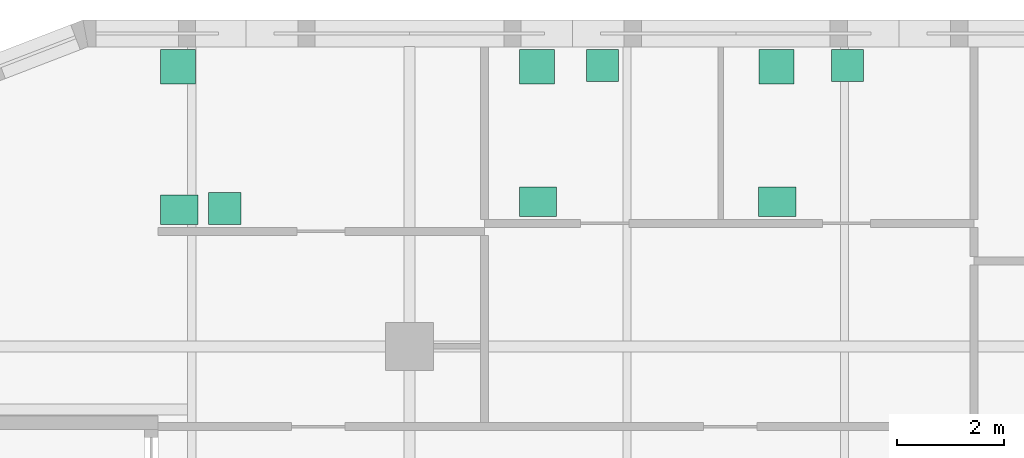
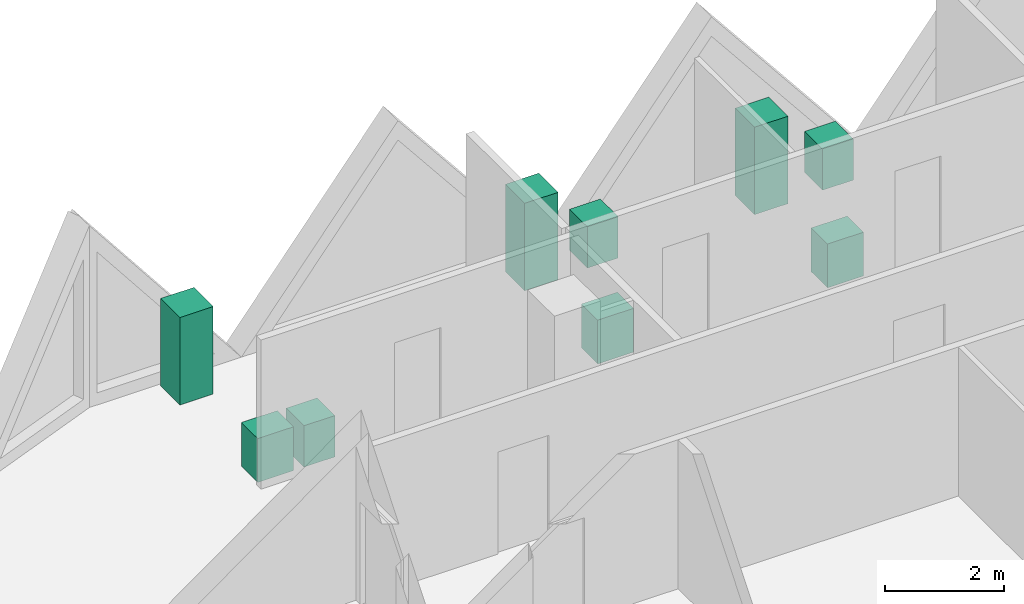
# One storey, part 16 of 17: 6 electric appliances, 3 sanitary terminals.
"""IFC4 building model written with IfcOpenShell, lengths in metres."""

import ifcopenshell
import ifcopenshell.guid

model = None  # the IFC model being written
_history = None  # IfcOwnerHistory: only IFC2X3 demands one
_inside = {}  # id of a spatial element -> (the spatial element, [elements in it])
_under = {}  # id of a project, library or spatial element -> (it, [spatial elements below it])
_declared = {}  # id of a project -> (the project, [libraries it declares])
_typed = {}  # id of a type object -> (the type object, [elements of that type])
_made_of = {}  # id of a material, layer set ... -> (it, [elements and type objects made of it])


def new_model(schema):
    """Start an empty IFC model of exactly this schema.

    Asked for "IFC4X3", IfcOpenShell would pick the latest addendum, in which some entities
    have other attributes; the version numbers below select the first issue.
    IFC2X3 requires an IfcOwnerHistory on every rooted entity: one is made here for all.
    """
    global model, _history
    if schema == "IFC4X3":
        model = ifcopenshell.file(schema_version=(4, 3, 0, 0))
    else:
        model = ifcopenshell.file(schema=schema)
    _inside.clear()
    _under.clear()
    _declared.clear()
    _typed.clear()
    _made_of.clear()
    _history = None
    if model.schema == "IFC2X3":
        org = make("IfcOrganization", Name="unknown")
        user = make(
            "IfcPersonAndOrganization",
            ThePerson=make("IfcPerson", FamilyName="unknown"),
            TheOrganization=org,
        )
        app = make(
            "IfcApplication",
            ApplicationDeveloper=org,
            Version="unknown",
            ApplicationFullName="unknown",
            ApplicationIdentifier="unknown",
        )
        _history = make(
            "IfcOwnerHistory",
            OwningUser=user,
            OwningApplication=app,
            ChangeAction="ADDED",
            CreationDate=0,
        )
    return model


def make(cls, **values):
    """One entity of the class cls with the attributes given. An attribute that is None is left unset."""
    return model.create_entity(
        cls, **{name: value for name, value in values.items() if value is not None}
    )


def rooted(cls, **values):
    """An entity with a GlobalId (a new one), such as an element, a storey or a relation."""
    return make(cls, GlobalId=ifcopenshell.guid.new(), OwnerHistory=_history, **values)


def si_unit(unit_type, name, prefix=None):
    """IfcSIUnit, for example si_unit("LENGTHUNIT", "METRE", prefix="MILLI")."""
    return make("IfcSIUnit", UnitType=unit_type, Prefix=prefix, Name=name)


def assignment(units):
    """IfcUnitAssignment: the units of a project."""
    return None if units is None else make("IfcUnitAssignment", Units=units)


def point(xyz):
    """IfcCartesianPoint."""
    return None if xyz is None else make("IfcCartesianPoint", Coordinates=xyz)


def direction(xyz):
    """IfcDirection."""
    return None if xyz is None else make("IfcDirection", DirectionRatios=xyz)


def frame(location, z_axis=None, x_axis=None):
    """IfcAxis2Placement3D, a coordinate frame: its origin and axes. An axis left out is left unset."""
    return make(
        "IfcAxis2Placement3D",
        Location=point(location),
        Axis=direction(z_axis),
        RefDirection=direction(x_axis),
    )


def frame_2d(location, x_axis=None):
    """IfcAxis2Placement2D, a coordinate frame in the plane: its origin and x axis."""
    return make(
        "IfcAxis2Placement2D", Location=point(location), RefDirection=direction(x_axis)
    )


def origin():
    """The frame at (0, 0, 0) with its axes left unset."""
    return frame((0.0, 0.0, 0.0))


def origin_2d():
    """The frame at (0, 0) in the plane with its x axis left unset."""
    return frame_2d((0.0, 0.0))


def place(relative_to, where):
    """IfcLocalPlacement: puts the frame where relative to a parent placement (None: the world)."""
    return make(
        "IfcLocalPlacement", PlacementRelTo=relative_to, RelativePlacement=where
    )


def context(
    kind, dimensions, precision=None, world=None, true_north=None, identifier=None
):
    """IfcGeometricRepresentationContext, for example the 3D "Model" context."""
    return make(
        "IfcGeometricRepresentationContext",
        ContextIdentifier=identifier,
        ContextType=kind,
        CoordinateSpaceDimension=dimensions,
        Precision=precision,
        WorldCoordinateSystem=world,
        TrueNorth=true_north,
    )


def subcontext(parent, identifier, kind, view, scale=None):
    """IfcGeometricRepresentationSubContext, for example "Body" below "Model"."""
    return make(
        "IfcGeometricRepresentationSubContext",
        ContextIdentifier=identifier,
        ContextType=kind,
        ParentContext=parent,
        TargetScale=scale,
        TargetView=view,
    )


def project(units=None, contexts=None):
    """IfcProject with its units and contexts."""
    return rooted(
        "IfcProject",
        Name="project",
        RepresentationContexts=contexts,
        UnitsInContext=assignment(units),
    )


def spatial(cls, under=None, at=None, **own):
    """A site, building, storey or space (cls), placed at a placement, below another one or the project."""
    s = rooted(cls, ObjectPlacement=at, **own)
    if under is not None:
        _under.setdefault(under.id(), (under, []))[1].append(s)
    return s


def profile(cls, at=None, kind="AREA", **sizes):
    """A parametric profile (cls). Its sizes go by their IFC names, for example OverallWidth=200.0."""
    return make(cls, ProfileType=kind, Position=at, **sizes)


def rectangle(**sizes):
    """IfcRectangleProfileDef."""
    return profile("IfcRectangleProfileDef", **sizes)


def extrude(swept, where, along, depth):
    """IfcExtrudedAreaSolid: the profile swept, set in the frame where, extruded along a direction by depth."""
    return make(
        "IfcExtrudedAreaSolid",
        SweptArea=swept,
        Position=where,
        ExtrudedDirection=direction(along),
        Depth=depth,
    )


def shape(context_of_items, identifier, shape_type, items):
    """IfcShapeRepresentation: the items that make up one representation, for example the "Body"."""
    return make(
        "IfcShapeRepresentation",
        ContextOfItems=context_of_items,
        RepresentationIdentifier=identifier,
        RepresentationType=shape_type,
        Items=items,
    )


def material(Name=None, Category=None):
    """IfcMaterial."""
    return make("IfcMaterial", Name=Name, Category=Category)


def made_of(thing, what):
    """Note that an element or type object is made of a material, layer set ...; save() writes the relation."""
    if what is not None:
        _made_of.setdefault(what.id(), (what, []))[1].append(thing)
    return thing


def type_object(cls, material=None, **own):
    """A type object (cls), such as IfcWallType, which elements share."""
    return made_of(rooted(cls, **own), material)


def element(
    cls,
    number,
    at=None,
    inside=None,
    cuts=None,
    type_object=None,
    material=None,
    context=None,
    identifier="Body",
    shape_type=None,
    held_by="IfcProductDefinitionShape",
    body=None,
    shapes=None,
    **own,
):
    """One element of the class cls, such as IfcWall. Its Tag is "e" and its number.

    at: its placement. inside: the storey or other place that contains it. cuts: it is an
    opening in that element (IfcRelVoidsElement). A single representation is given by context,
    identifier, shape_type and body (its items); several are given by shapes. held_by: the class
    of the entity that holds the representations. save() writes the other relations.
    """
    e = rooted(cls, Tag="e%d" % number, ObjectPlacement=at, **own)
    if body is not None:
        shapes = [shape(context, identifier, shape_type, body)]
    if shapes is not None:
        e.Representation = make(held_by, Representations=shapes)
    if inside is not None:
        _inside.setdefault(inside.id(), (inside, []))[1].append(e)
    if cuts is not None:
        rooted(
            "IfcRelVoidsElement", RelatingBuildingElement=cuts, RelatedOpeningElement=e
        )
    if type_object is not None:
        _typed.setdefault(type_object.id(), (type_object, []))[1].append(e)
    return made_of(e, material)


def aggregate(whole, parts):
    """IfcRelAggregates: a whole, such as a stair, and the parts it consists of."""
    return rooted("IfcRelAggregates", RelatingObject=whole, RelatedObjects=parts)


def save(model, path):
    """Write the relations noted so far, then the file.

    IfcRelAggregates (storeys below a building ...), IfcRelContainedInSpatialStructure (elements
    in a storey), IfcRelDefinesByType, IfcRelAssociatesMaterial and IfcRelDeclares: one each for
    every whole, place, type object, material and project.
    """
    for whole, parts in _under.values():
        aggregate(whole, parts)
    for where, things in _inside.values():
        rooted(
            "IfcRelContainedInSpatialStructure",
            RelatedElements=things,
            RelatingStructure=where,
        )
    for kind, things in _typed.values():
        rooted("IfcRelDefinesByType", RelatedObjects=things, RelatingType=kind)
    for what, things in _made_of.values():
        rooted("IfcRelAssociatesMaterial", RelatedObjects=things, RelatingMaterial=what)
    for by, libraries in _declared.values():
        rooted("IfcRelDeclares", RelatingContext=by, RelatedDefinitions=libraries)
    model.write(path)


model = new_model("IFC4")

# Units and contexts
model_context = context("Model", 3, precision=1e-05, world=origin(), true_north=direction((0.0, 1.0)))
body_context = subcontext(model_context, "Body", "Model", "MODEL_VIEW")
ifc_project = project(units=[si_unit("LENGTHUNIT", "METRE"), si_unit("AREAUNIT", "SQUARE_METRE"), si_unit("VOLUMEUNIT", "CUBIC_METRE"), si_unit("PLANEANGLEUNIT", "RADIAN"), si_unit("MASSUNIT", "GRAM", prefix="KILO")], contexts=[model_context])

# Site, building, storey
site_placement = place(None, origin())
site = spatial("IfcSite", under=ifc_project, at=site_placement, CompositionType="ELEMENT")
building_placement = place(site_placement, origin())
building = spatial("IfcBuilding", under=site, at=building_placement, Name="Tessera Gate Towers", CompositionType="ELEMENT")
storey_placement = place(building_placement, frame((0.0, 0.0, 112.60009765625)))
storey = spatial("IfcBuildingStorey", under=building, at=storey_placement, Name="L27", CompositionType="ELEMENT", Elevation=112.60009765625)

# Electric appliances
ifc_material_1 = material(Name="Enamelled steel", Category="steel")
electric_appliance_type_1 = type_object("IfcElectricApplianceType", Name="DISHWASHER 600x600", PredefinedType="DISHWASHER", material=ifc_material_1)
for number, where, z_axis, x_axis, name in (
    (1, (8.75, 51.375, -0.000244140625), (0.0, 0.0, 1.0), (1.0, 0.0, 0.0), "Dishwasher"),
    (2, (15.81005859375, 54.050048828125, -0.000244140625), (0.0, 0.0, 1.0), (1.0, 0.0, 0.0), "Dishwasher"),
    (3, (20.385009765625, 54.050048828125, -0.000244140625), (0.0, 0.0, 1.0), (1.0, 0.0, 0.0), "Dishwasher"),
):
    element("IfcElectricAppliance", number, at=place(storey_placement, frame(where, z_axis=z_axis, x_axis=x_axis)), inside=storey, type_object=electric_appliance_type_1, Name=name, PredefinedType="DISHWASHER", context=body_context, shape_type="SweptSolid", body=[
        extrude(rectangle(XDim=0.60009765625, YDim=0.60009765625, at=origin_2d()), origin(), (0.0, 0.0, 1.0), 0.85009765625),
    ])
ifc_material_2 = material(Name="Enamelled steel", Category="steel")
electric_appliance_type_2 = type_object("IfcElectricApplianceType", Name="REFRIGERATOR 650x650", PredefinedType="FRIDGE_FREEZER", material=ifc_material_2)
for number, where, z_axis, x_axis, name in (
    (4, (7.875, 54.02490234375, 0.0), (0.0, 0.0, 1.0), (1.0, 0.0, 0.0), "Refrigerator"),
    (5, (14.5869140625, 54.02490234375, 0.0), (0.0, 0.0, 1.0), (1.0, 0.0, 0.0), "Refrigerator"),
    (6, (19.05908203125, 54.02490234375, 0.0), (0.0, 0.0, 1.0), (1.0, 0.0, 0.0), "Refrigerator"),
):
    element("IfcElectricAppliance", number, at=place(storey_placement, frame(where, z_axis=z_axis, x_axis=x_axis)), inside=storey, type_object=electric_appliance_type_2, Name=name, PredefinedType="FRIDGE_FREEZER", context=body_context, shape_type="SweptSolid", body=[
        extrude(rectangle(XDim=0.64990234375, YDim=0.64990234375, at=origin_2d()), origin(), (0.0, 0.0, 1.0), 1.800048828125),
    ])

# Sanitary terminals
ifc_material_3 = material(Name="Vitreous china")
sanitary_terminal_type = type_object("IfcSanitaryTerminalType", Name="SINK 700x550", PredefinedType="SINK", material=ifc_material_3)
for number, where, z_axis, x_axis, name in (
    (7, (7.89990234375, 51.35009765625, 0.0), (0.0, 0.0, 1.0), (1.0, 0.0, 0.0), "Sink"),
    (8, (14.60302734375, 51.5, 0.0), (0.0, 0.0, 1.0), (1.0, 0.0, 0.0), "Sink"),
    (9, (19.074951171875, 51.5, 0.0), (0.0, 0.0, 1.0), (1.0, 0.0, 0.0), "Sink"),
):
    element("IfcSanitaryTerminal", number, at=place(storey_placement, frame(where, z_axis=z_axis, x_axis=x_axis)), inside=storey, type_object=sanitary_terminal_type, Name=name, PredefinedType="SINK", context=body_context, shape_type="SweptSolid", body=[
        extrude(rectangle(XDim=0.699951171875, YDim=0.550048828125, at=origin_2d()), origin(), (0.0, 0.0, 1.0), 0.89990234375),
    ])

save(model, "model.ifc")
